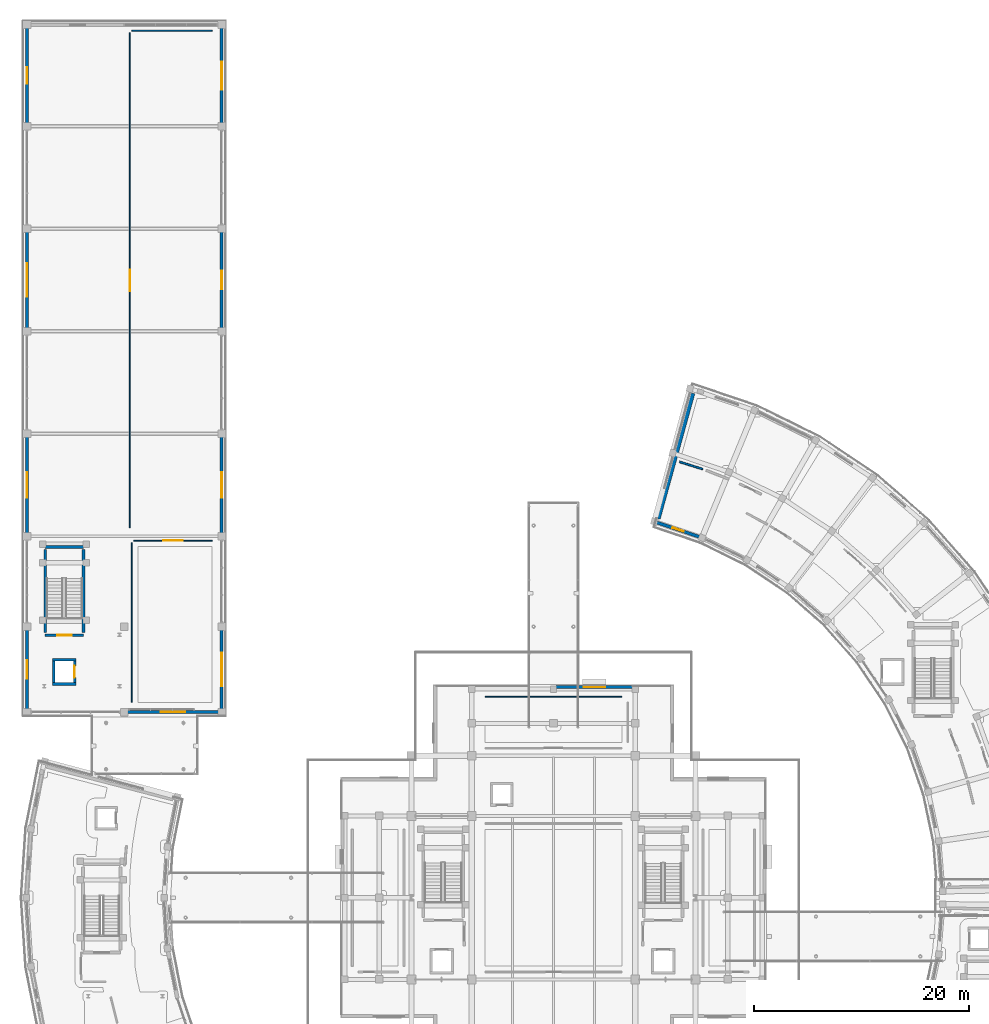
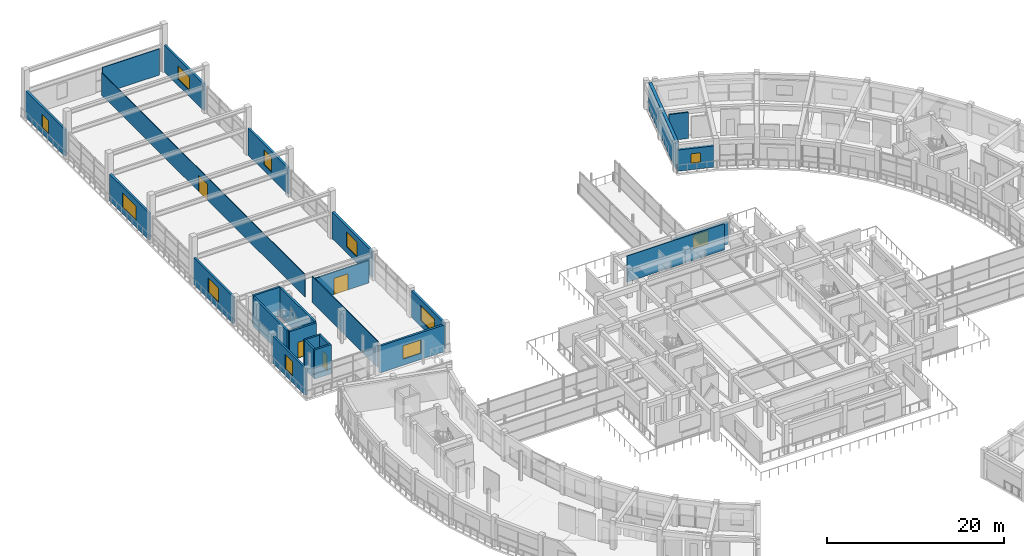
# One storey, part 52 of 72: 26 walls, 11 windows, 4 doors, 15 openings.
"""IFC4 building model written with IfcOpenShell, lengths in metres."""

from ifc_helpers import new_model, si_unit, direction, frame, frame_2d, origin, place, context, subcontext, project, spatial, rectangle, extrude, material, layer, layer_set, type_object, element, fill, save


model = new_model("IFC4")

# Units and contexts
model_context = context("Model", 3, precision=1e-05, world=origin(), true_north=direction((0.0, 1.0)))
body_context = subcontext(model_context, "Body", "Model", "MODEL_VIEW")
ifc_project = project(units=[si_unit("LENGTHUNIT", "METRE"), si_unit("AREAUNIT", "SQUARE_METRE"), si_unit("VOLUMEUNIT", "CUBIC_METRE"), si_unit("PLANEANGLEUNIT", "RADIAN"), si_unit("MASSUNIT", "GRAM", prefix="KILO")], contexts=[model_context])

# Site, building, storey
site_placement = place(None, origin())
site = spatial("IfcSite", under=ifc_project, at=site_placement, CompositionType="ELEMENT")
building_placement = place(site_placement, origin())
building = spatial("IfcBuilding", under=site, at=building_placement, Name="Saryqyr Civic Hall", CompositionType="ELEMENT")
storey_placement = place(building_placement, frame((0.0, 0.0, 17.25)))
storey = spatial("IfcBuildingStorey", under=building, at=storey_placement, Name="L04", CompositionType="ELEMENT", Elevation=17.25)

# Wall, opening, window
ifc_material_1 = material(Name="Precast concrete C40/50", Category="concrete")
ifc_layer_1 = layer(ifc_material_1, 0.27001953125, Name="Precast concrete C40/50")
ifc_layer_set_1 = layer_set([ifc_layer_1], Name="Precast concrete C40/50")
wall_type_1 = type_object("IfcWallType", Name="ENV-WAL-EXT-270", PredefinedType="STANDARD", material=ifc_layer_set_1)
wall_1_placement = place(storey_placement, frame((25.864990234375, 101.25, 0.0), z_axis=(0.0, 0.0, 1.0), x_axis=(-1.0, 0.0, 0.0)))
wall_1 = element("IfcWall", 1, at=wall_1_placement, inside=storey, type_object=wall_type_1, Name="Exterior wall V3-EW-L04-0-0", PredefinedType="STANDARD", context=body_context, shape_type="SweptSolid", body=[
    extrude(rectangle(XDim=8.47998046875, YDim=0.27001953125, at=frame_2d((4.239990234375, 0.0))), origin(), (0.0, 0.0, 1.0), 3.699951171875),
])
opening_1_placement = place(wall_1_placement, frame((3.090087890625, 0.0, 0.85009765625)))
opening_1 = element("IfcOpeningElement", 2, at=opening_1_placement, cuts=wall_1, Name="Opening W-29", PredefinedType="OPENING", context=body_context, shape_type="SweptSolid", body=[
    extrude(rectangle(XDim=2.300048828125, YDim=1.85009765625, at=frame_2d((1.14990234375, 0.925048828125))), frame((0.0, 0.14501953125, 0.0), z_axis=(0.0, -1.0, 0.0), x_axis=(1.0, 0.0, 0.0)), (0.0, 0.0, 1.0), 0.2900390625),
])
ifc_material_2 = material(Name="Anodised aluminium and triple low-E glass", Category="aluminium")
window_type_1 = type_object("IfcWindowType", Name="ENV-WIN-W29", PartitioningType="SINGLE_PANEL", PredefinedType="WINDOW", material=ifc_material_2)
window_1_placement = place(opening_1_placement, origin())
window_1 = element("IfcWindow", 3, at=window_1_placement, inside=storey, type_object=window_type_1, Name="Library window L04-0-0", OverallHeight=1.85009765625, OverallWidth=2.300048828125, PartitioningType="SINGLE_PANEL", PredefinedType="WINDOW", context=body_context, shape_type="SweptSolid", body=[
    extrude(rectangle(XDim=2.300048828125, YDim=1.85009765625, at=frame_2d((1.14990234375, 0.925048828125))), frame((0.0, 0.030029296875, 0.0), z_axis=(0.0, -1.0, 0.0), x_axis=(1.0, 0.0, 0.0)), (0.0, 0.0, 1.0), 0.06005859375),
])
fill(opening_1, window_1)

wall_2_placement = place(storey_placement, frame((26.14990234375, 164.864990234375, 0.0), z_axis=(0.0, 0.0, 1.0), x_axis=(0.0, -1.0, 0.0)))
wall_2 = element("IfcWall", 4, at=wall_2_placement, inside=storey, type_object=wall_type_1, Name="Exterior wall V3-EW-L04-1-0", PredefinedType="STANDARD", context=body_context, shape_type="SweptSolid", body=[
    extrude(rectangle(XDim=8.860107421875, YDim=0.27001953125, at=frame_2d((4.43017578125, 0.0))), origin(), (0.0, 0.0, 1.0), 3.699951171875),
])
opening_2_placement = place(wall_2_placement, frame((3.1298828125, 0.0, 0.85009765625)))
opening_2 = element("IfcOpeningElement", 5, at=opening_2_placement, cuts=wall_2, Name="Opening W-30", PredefinedType="OPENING", context=body_context, shape_type="SweptSolid", body=[
    extrude(rectangle(XDim=2.60009765625, YDim=1.85009765625, at=frame_2d((1.300048828125, 0.925048828125))), frame((0.0, 0.14501953125, 0.0), z_axis=(0.0, -1.0, 0.0), x_axis=(1.0, 0.0, 0.0)), (0.0, 0.0, 1.0), 0.2900390625),
])
window_type_2 = type_object("IfcWindowType", Name="ENV-WIN-W30", PartitioningType="SINGLE_PANEL", PredefinedType="WINDOW", material=ifc_material_2)
window_2_placement = place(opening_2_placement, origin())
window_2 = element("IfcWindow", 6, at=window_2_placement, inside=storey, type_object=window_type_2, Name="Library window L04-1-0", OverallHeight=1.85009765625, OverallWidth=2.60009765625, PartitioningType="SINGLE_PANEL", PredefinedType="WINDOW", context=body_context, shape_type="SweptSolid", body=[
    extrude(rectangle(XDim=2.60009765625, YDim=1.85009765625, at=frame_2d((1.300048828125, 0.925048828125))), frame((0.0, 0.030029296875, 0.0), z_axis=(0.0, -1.0, 0.0), x_axis=(1.0, 0.0, 0.0)), (0.0, 0.0, 1.0), 0.06005859375),
])
fill(opening_2, window_2)

wall_3_placement = place(storey_placement, frame((26.14990234375, 145.905029296875, 0.0), z_axis=(0.0, 0.0, 1.0), x_axis=(0.0, -1.0, 0.0)))
wall_3 = element("IfcWall", 7, at=wall_3_placement, inside=storey, type_object=wall_type_1, Name="Exterior wall V3-EW-L04-1-2", PredefinedType="STANDARD", context=body_context, shape_type="SweptSolid", body=[
    extrude(rectangle(XDim=8.9599609375, YDim=0.27001953125, at=frame_2d((4.47998046875, 0.0))), origin(), (0.0, 0.0, 1.0), 3.699951171875),
])
opening_3_placement = place(wall_3_placement, frame((3.6298828125, 0.0, 0.85009765625)))
opening_3 = element("IfcOpeningElement", 8, at=opening_3_placement, cuts=wall_3, Name="Opening W-32", PredefinedType="OPENING", context=body_context, shape_type="SweptSolid", body=[
    extrude(rectangle(XDim=1.699951171875, YDim=2.050048828125, at=frame_2d((0.85009765625, 1.02490234375))), frame((0.0, 0.14501953125, 0.0), z_axis=(0.0, -1.0, 0.0), x_axis=(1.0, 0.0, 0.0)), (0.0, 0.0, 1.0), 0.2900390625),
])
window_type_3 = type_object("IfcWindowType", Name="ENV-WIN-W32", PartitioningType="SINGLE_PANEL", PredefinedType="WINDOW", material=ifc_material_2)
window_3_placement = place(opening_3_placement, origin())
window_3 = element("IfcWindow", 9, at=window_3_placement, inside=storey, type_object=window_type_3, Name="Library window L04-1-2", OverallHeight=2.050048828125, OverallWidth=1.699951171875, PartitioningType="SINGLE_PANEL", PredefinedType="WINDOW", context=body_context, shape_type="SweptSolid", body=[
    extrude(rectangle(XDim=1.699951171875, YDim=2.050048828125, at=frame_2d((0.85009765625, 1.02490234375))), frame((0.0, 0.030029296875, 0.0), z_axis=(0.0, -1.0, 0.0), x_axis=(1.0, 0.0, 0.0)), (0.0, 0.0, 1.0), 0.06005859375),
])
fill(opening_3, window_3)

wall_4_placement = place(storey_placement, frame((26.14990234375, 126.844970703125, 0.0), z_axis=(0.0, 0.0, 1.0), x_axis=(0.0, -1.0, 0.0)))
wall_4 = element("IfcWall", 10, at=wall_4_placement, inside=storey, type_object=wall_type_1, Name="Exterior wall V3-EW-L04-1-4", PredefinedType="STANDARD", context=body_context, shape_type="SweptSolid", body=[
    extrude(rectangle(XDim=8.9599609375, YDim=0.27001953125, at=frame_2d((4.47998046875, 0.0))), origin(), (0.0, 0.0, 1.0), 3.699951171875),
])
opening_4_placement = place(wall_4_placement, frame((3.280029296875, 0.0, 0.85009765625)))
opening_4 = element("IfcOpeningElement", 11, at=opening_4_placement, cuts=wall_4, Name="Opening W-34", PredefinedType="OPENING", context=body_context, shape_type="SweptSolid", body=[
    extrude(rectangle(XDim=2.39990234375, YDim=2.050048828125, at=frame_2d((1.199951171875, 1.02490234375))), frame((0.0, 0.14501953125, 0.0), z_axis=(0.0, -1.0, 0.0), x_axis=(1.0, 0.0, 0.0)), (0.0, 0.0, 1.0), 0.2900390625),
])
window_type_4 = type_object("IfcWindowType", Name="ENV-WIN-W34", PartitioningType="SINGLE_PANEL", PredefinedType="WINDOW", material=ifc_material_2)
window_4_placement = place(opening_4_placement, origin())
window_4 = element("IfcWindow", 12, at=window_4_placement, inside=storey, type_object=window_type_4, Name="Library window L04-1-4", OverallHeight=2.050048828125, OverallWidth=2.39990234375, PartitioningType="SINGLE_PANEL", PredefinedType="WINDOW", context=body_context, shape_type="SweptSolid", body=[
    extrude(rectangle(XDim=2.39990234375, YDim=2.050048828125, at=frame_2d((1.199951171875, 1.02490234375))), frame((0.0, 0.030029296875, 0.0), z_axis=(0.0, -1.0, 0.0), x_axis=(1.0, 0.0, 0.0)), (0.0, 0.0, 1.0), 0.06005859375),
])
fill(opening_4, window_4)

wall_5_placement = place(storey_placement, frame((26.14990234375, 108.9150390625, 0.0), z_axis=(0.0, 0.0, 1.0), x_axis=(0.0, -1.0, 0.0)))
wall_5 = element("IfcWall", 13, at=wall_5_placement, inside=storey, type_object=wall_type_1, Name="Exterior wall V3-EW-L04-1-6", PredefinedType="STANDARD", context=body_context, shape_type="SweptSolid", body=[
    extrude(rectangle(XDim=7.380126953125, YDim=0.27001953125, at=frame_2d((3.68994140625, 0.0))), origin(), (0.0, 0.0, 1.0), 3.699951171875),
])
opening_5_placement = place(wall_5_placement, frame((2.139892578125, 0.0, 0.85009765625)))
opening_5 = element("IfcOpeningElement", 14, at=opening_5_placement, cuts=wall_5, Name="Opening W-36", PredefinedType="OPENING", context=body_context, shape_type="SweptSolid", body=[
    extrude(rectangle(XDim=3.10009765625, YDim=2.050048828125, at=frame_2d((1.550048828125, 1.02490234375))), frame((0.0, 0.14501953125, 0.0), z_axis=(0.0, -1.0, 0.0), x_axis=(1.0, 0.0, 0.0)), (0.0, 0.0, 1.0), 0.2900390625),
])
window_type_5 = type_object("IfcWindowType", Name="ENV-WIN-W36", PartitioningType="SINGLE_PANEL", PredefinedType="WINDOW", material=ifc_material_2)
window_5_placement = place(opening_5_placement, origin())
window_5 = element("IfcWindow", 15, at=window_5_placement, inside=storey, type_object=window_type_5, Name="Library window L04-1-6", OverallHeight=2.050048828125, OverallWidth=3.10009765625, PartitioningType="SINGLE_PANEL", PredefinedType="WINDOW", context=body_context, shape_type="SweptSolid", body=[
    extrude(rectangle(XDim=3.10009765625, YDim=2.050048828125, at=frame_2d((1.550048828125, 1.02490234375))), frame((0.0, 0.030029296875, 0.0), z_axis=(0.0, -1.0, 0.0), x_axis=(1.0, 0.0, 0.0)), (0.0, 0.0, 1.0), 0.06005859375),
])
fill(opening_5, window_5)

wall_6_placement = place(storey_placement, frame((8.050048828125, 101.534912109375, 0.0), z_axis=(0.0, 0.0, 1.0), x_axis=(0.0, 1.0, 0.0)))
wall_6 = element("IfcWall", 16, at=wall_6_placement, inside=storey, type_object=wall_type_1, Name="Exterior wall V3-EW-L04-3-0", PredefinedType="STANDARD", context=body_context, shape_type="SweptSolid", body=[
    extrude(rectangle(XDim=7.380126953125, YDim=0.27001953125, at=frame_2d((3.68994140625, 0.0))), origin(), (0.0, 0.0, 1.0), 3.699951171875),
])
opening_6_placement = place(wall_6_placement, frame((2.840087890625, 0.0, 0.85009765625)))
opening_6 = element("IfcOpeningElement", 17, at=opening_6_placement, cuts=wall_6, Name="Opening W-32", PredefinedType="OPENING", context=body_context, shape_type="SweptSolid", body=[
    extrude(rectangle(XDim=1.699951171875, YDim=2.050048828125, at=frame_2d((0.85009765625, 1.02490234375))), frame((0.0, 0.14501953125, 0.0), z_axis=(0.0, -1.0, 0.0), x_axis=(1.0, 0.0, 0.0)), (0.0, 0.0, 1.0), 0.2900390625),
])
window_6_placement = place(opening_6_placement, origin())
window_6 = element("IfcWindow", 18, at=window_6_placement, inside=storey, type_object=window_type_3, Name="Library window L04-3-0", OverallHeight=2.050048828125, OverallWidth=1.699951171875, PartitioningType="SINGLE_PANEL", PredefinedType="WINDOW", context=body_context, shape_type="SweptSolid", body=[
    extrude(rectangle(XDim=1.699951171875, YDim=2.050048828125, at=frame_2d((0.85009765625, 1.02490234375))), frame((0.0, 0.030029296875, 0.0), z_axis=(0.0, -1.0, 0.0), x_axis=(1.0, 0.0, 0.0)), (0.0, 0.0, 1.0), 0.06005859375),
])
fill(opening_6, window_6)

wall_7_placement = place(storey_placement, frame((8.050048828125, 117.885009765625, 0.0), z_axis=(0.0, 0.0, 1.0), x_axis=(0.0, 1.0, 0.0)))
wall_7 = element("IfcWall", 19, at=wall_7_placement, inside=storey, type_object=wall_type_1, Name="Exterior wall V3-EW-L04-3-2", PredefinedType="STANDARD", context=body_context, shape_type="SweptSolid", body=[
    extrude(rectangle(XDim=8.9599609375, YDim=0.27001953125, at=frame_2d((4.47998046875, 0.0))), origin(), (0.0, 0.0, 1.0), 3.699951171875),
])
opening_7_placement = place(wall_7_placement, frame((3.280029296875, 0.0, 0.85009765625)))
opening_7 = element("IfcOpeningElement", 20, at=opening_7_placement, cuts=wall_7, Name="Opening W-34", PredefinedType="OPENING", context=body_context, shape_type="SweptSolid", body=[
    extrude(rectangle(XDim=2.39990234375, YDim=2.050048828125, at=frame_2d((1.199951171875, 1.02490234375))), frame((0.0, 0.14501953125, 0.0), z_axis=(0.0, -1.0, 0.0), x_axis=(1.0, 0.0, 0.0)), (0.0, 0.0, 1.0), 0.2900390625),
])
window_7_placement = place(opening_7_placement, origin())
window_7 = element("IfcWindow", 21, at=window_7_placement, inside=storey, type_object=window_type_4, Name="Library window L04-3-2", OverallHeight=2.050048828125, OverallWidth=2.39990234375, PartitioningType="SINGLE_PANEL", PredefinedType="WINDOW", context=body_context, shape_type="SweptSolid", body=[
    extrude(rectangle(XDim=2.39990234375, YDim=2.050048828125, at=frame_2d((1.199951171875, 1.02490234375))), frame((0.0, 0.030029296875, 0.0), z_axis=(0.0, -1.0, 0.0), x_axis=(1.0, 0.0, 0.0)), (0.0, 0.0, 1.0), 0.06005859375),
])
fill(opening_7, window_7)

wall_8_placement = place(storey_placement, frame((8.050048828125, 136.945068359375, 0.0), z_axis=(0.0, 0.0, 1.0), x_axis=(0.0, 1.0, 0.0)))
wall_8 = element("IfcWall", 22, at=wall_8_placement, inside=storey, type_object=wall_type_1, Name="Exterior wall V3-EW-L04-3-4", PredefinedType="STANDARD", context=body_context, shape_type="SweptSolid", body=[
    extrude(rectangle(XDim=8.9599609375, YDim=0.27001953125, at=frame_2d((4.47998046875, 0.0))), origin(), (0.0, 0.0, 1.0), 3.699951171875),
])
opening_8_placement = place(wall_8_placement, frame((2.929931640625, 0.0, 0.85009765625)))
opening_8 = element("IfcOpeningElement", 23, at=opening_8_placement, cuts=wall_8, Name="Opening W-36", PredefinedType="OPENING", context=body_context, shape_type="SweptSolid", body=[
    extrude(rectangle(XDim=3.10009765625, YDim=2.050048828125, at=frame_2d((1.550048828125, 1.02490234375))), frame((0.0, 0.14501953125, 0.0), z_axis=(0.0, -1.0, 0.0), x_axis=(1.0, 0.0, 0.0)), (0.0, 0.0, 1.0), 0.2900390625),
])
window_8_placement = place(opening_8_placement, origin())
window_8 = element("IfcWindow", 24, at=window_8_placement, inside=storey, type_object=window_type_5, Name="Library window L04-3-4", OverallHeight=2.050048828125, OverallWidth=3.10009765625, PartitioningType="SINGLE_PANEL", PredefinedType="WINDOW", context=body_context, shape_type="SweptSolid", body=[
    extrude(rectangle(XDim=3.10009765625, YDim=2.050048828125, at=frame_2d((1.550048828125, 1.02490234375))), frame((0.0, 0.030029296875, 0.0), z_axis=(0.0, -1.0, 0.0), x_axis=(1.0, 0.0, 0.0)), (0.0, 0.0, 1.0), 0.06005859375),
])
fill(opening_8, window_8)

wall_9_placement = place(storey_placement, frame((8.050048828125, 156.0048828125, 0.0), z_axis=(0.0, 0.0, 1.0), x_axis=(0.0, 1.0, 0.0)))
wall_9 = element("IfcWall", 25, at=wall_9_placement, inside=storey, type_object=wall_type_1, Name="Exterior wall V3-EW-L04-3-6", PredefinedType="STANDARD", context=body_context, shape_type="SweptSolid", body=[
    extrude(rectangle(XDim=8.860107421875, YDim=0.27001953125, at=frame_2d((4.43017578125, 0.0))), origin(), (0.0, 0.0, 1.0), 3.699951171875),
])
opening_9_placement = place(wall_9_placement, frame((3.679931640625, 0.0, 0.85009765625)))
opening_9 = element("IfcOpeningElement", 26, at=opening_9_placement, cuts=wall_9, Name="Opening W-26", PredefinedType="OPENING", context=body_context, shape_type="SweptSolid", body=[
    extrude(rectangle(XDim=1.5, YDim=1.85009765625, at=frame_2d((0.75, 0.925048828125))), frame((0.0, 0.14501953125, 0.0), z_axis=(0.0, -1.0, 0.0), x_axis=(1.0, 0.0, 0.0)), (0.0, 0.0, 1.0), 0.2900390625),
])
window_type_6 = type_object("IfcWindowType", Name="ENV-WIN-W26", PartitioningType="SINGLE_PANEL", PredefinedType="WINDOW", material=ifc_material_2)
window_9_placement = place(opening_9_placement, origin())
window_9 = element("IfcWindow", 27, at=window_9_placement, inside=storey, type_object=window_type_6, Name="Library window L04-3-6", OverallHeight=1.85009765625, OverallWidth=1.5, PartitioningType="SINGLE_PANEL", PredefinedType="WINDOW", context=body_context, shape_type="SweptSolid", body=[
    extrude(rectangle(XDim=1.5, YDim=1.85009765625, at=frame_2d((0.75, 0.925048828125))), frame((0.0, 0.030029296875, 0.0), z_axis=(0.0, -1.0, 0.0), x_axis=(1.0, 0.0, 0.0)), (0.0, 0.0, 1.0), 0.06005859375),
])
fill(opening_9, window_9)

ifc_layer_2 = layer(ifc_material_1, 0.2900390625, Name="Precast concrete C40/50")
ifc_layer_set_2 = layer_set([ifc_layer_2], Name="Precast concrete C40/50")
wall_type_2 = type_object("IfcWallType", Name="ENV-WAL-EXT-290", PredefinedType="STANDARD", material=ifc_layer_set_2)
wall_10_placement = place(storey_placement, frame((70.562744140625, 117.547119140625, 0.0), z_axis=(0.0, 0.0, 1.0), x_axis=(-0.947212694363, 0.32060585091, 0.0)))
wall_10 = element("IfcWall", 28, at=wall_10_placement, inside=storey, type_object=wall_type_2, Name="Exterior wall V6-EWI-L04-09", PredefinedType="STANDARD", context=body_context, shape_type="SweptSolid", body=[
    extrude(rectangle(XDim=4.17919921875, YDim=0.2900390625, at=frame_2d((2.089599609375, 0.0))), origin(), (0.0, 0.0, 1.0), 2.93505859375),
])
opening_10_placement = place(wall_10_placement, frame((1.5400390625, 0.0, 0.85009765625)))
opening_10 = element("IfcOpeningElement", 29, at=opening_10_placement, cuts=wall_10, Name="Opening W-01", PredefinedType="OPENING", context=body_context, shape_type="SweptSolid", body=[
    extrude(rectangle(XDim=1.10009765625, YDim=1.35009765625, at=frame_2d((0.550048828125, 0.675048828125))), frame((0.0, 0.155029296875, 0.0), z_axis=(0.0, -1.0, 0.0), x_axis=(1.0, 0.0, 0.0)), (0.0, 0.0, 1.0), 0.31005859375),
])
window_type_7 = type_object("IfcWindowType", Name="ENV-WIN-W01", PartitioningType="SINGLE_PANEL", PredefinedType="WINDOW", material=ifc_material_2)
window_10_placement = place(opening_10_placement, origin())
window_10 = element("IfcWindow", 30, at=window_10_placement, inside=storey, type_object=window_type_7, Name="Courtyard window V6-L04-09", OverallHeight=1.35009765625, OverallWidth=1.10009765625, PartitioningType="SINGLE_PANEL", PredefinedType="WINDOW", context=body_context, shape_type="SweptSolid", body=[
    extrude(rectangle(XDim=1.10009765625, YDim=1.35009765625, at=frame_2d((0.550048828125, 0.675048828125))), frame((0.0, 0.030029296875, 0.0), z_axis=(0.0, -1.0, 0.0), x_axis=(1.0, 0.0, 0.0)), (0.0, 0.0, 1.0), 0.06005859375),
])
fill(opening_10, window_10)

wall_11_placement = place(storey_placement, frame((57.235107421875, 103.60009765625, 0.0), z_axis=(0.0, 0.0, 1.0), x_axis=(1.0, 0.0, 0.0)))
wall_11 = element("IfcWall", 31, at=wall_11_placement, inside=storey, type_object=wall_type_2, Name="Exterior wall V1-EW-L04-05", PredefinedType="STANDARD", context=body_context, shape_type="SweptSolid", body=[
    extrude(rectangle(XDim=7.1298828125, YDim=0.2900390625, at=frame_2d((3.56494140625, 0.0))), origin(), (0.0, 0.0, 1.0), 3.0849609375),
])
opening_11_placement = place(wall_11_placement, frame((2.56494140625, 0.0, 0.85009765625)))
opening_11 = element("IfcOpeningElement", 32, at=opening_11_placement, cuts=wall_11, Name="Opening W-28", PredefinedType="OPENING", context=body_context, shape_type="SweptSolid", body=[
    extrude(rectangle(XDim=2.0, YDim=1.85009765625, at=frame_2d((1.0, 0.925048828125))), frame((0.0, 0.155029296875, 0.0), z_axis=(0.0, -1.0, 0.0), x_axis=(1.0, 0.0, 0.0)), (0.0, 0.0, 1.0), 0.31005859375),
])
window_type_8 = type_object("IfcWindowType", Name="ENV-WIN-W28", PartitioningType="SINGLE_PANEL", PredefinedType="WINDOW", material=ifc_material_2)
window_11_placement = place(opening_11_placement, origin())
window_11 = element("IfcWindow", 33, at=window_11_placement, inside=storey, type_object=window_type_8, Name="Chamber cluster window L04-05", OverallHeight=1.85009765625, OverallWidth=2.0, PartitioningType="SINGLE_PANEL", PredefinedType="WINDOW", context=body_context, shape_type="SweptSolid", body=[
    extrude(rectangle(XDim=2.0, YDim=1.85009765625, at=frame_2d((1.0, 0.925048828125))), frame((0.0, 0.030029296875, 0.0), z_axis=(0.0, -1.0, 0.0), x_axis=(1.0, 0.0, 0.0)), (0.0, 0.0, 1.0), 0.06005859375),
])
fill(opening_11, window_11)

# Walls
ifc_material_3 = material(Name="Concrete C40/50", Category="concrete")
ifc_layer_3 = layer(ifc_material_3, 0.3798828125, Name="Concrete C40/50")
ifc_layer_set_3 = layer_set([ifc_layer_3], Name="Concrete C40/50")
wall_type_3 = type_object("IfcWallType", Name="ENV-WAL-PTY-380", PredefinedType="SHEAR", material=ifc_layer_set_3)
wall_12_placement = place(storey_placement, frame((66.73681640625, 119.229248046875, 0.0), z_axis=(0.0, 0.0, 1.0), x_axis=(0.266399016259, 0.963862834711, 0.0)))
element("IfcWall", 34, at=wall_12_placement, inside=storey, type_object=wall_type_3, Name="Exterior wall V6-JNTW-B-L04", PredefinedType="SHEAR", context=body_context, shape_type="SweptSolid", body=[
    extrude(rectangle(XDim=12.099853515625, YDim=0.3798828125, at=frame_2d((6.0498046875, 0.0))), origin(), (0.0, 0.0, 1.0), 3.75),
])
ifc_material_4 = material(Name="Lightweight demountable partition", Category="gypsum")
ifc_layer_4 = layer(ifc_material_4, 0.094970703125, Name="Lightweight demountable partition")
ifc_layer_set_4 = layer_set([ifc_layer_4], Name="Lightweight demountable partition")
wall_type_4 = type_object("IfcWallType", Name="INT-WAL-PRT-095", PredefinedType="PARTITIONING", material=ifc_layer_set_4)
wall_13_placement = place(storey_placement, frame((50.64990234375, 102.699951171875, 0.0), z_axis=(0.0, 0.0, 1.0), x_axis=(1.0, 0.0, 0.0)))
element("IfcWall", 35, at=wall_13_placement, inside=storey, type_object=wall_type_4, Name="Interior partition PRT-SP-V1-L04-R03-W2", PredefinedType="PARTITIONING", context=body_context, shape_type="SweptSolid", body=[
    extrude(rectangle(XDim=12.7001953125, YDim=0.094970703125, at=frame_2d((6.35009765625, 0.0))), origin(), (0.0, 0.0, 1.0), 3.6201171875),
])

# Wall, opening, door
wall_14_placement = place(storey_placement, frame((17.6201171875, 118.3798828125, 0.0), z_axis=(0.0, 0.0, 1.0), x_axis=(0.0, 1.0, 0.0)))
wall_14 = element("IfcWall", 36, at=wall_14_placement, inside=storey, type_object=wall_type_4, Name="Interior partition PRT-SP-V3-L04-R02-W1", PredefinedType="PARTITIONING", context=body_context, shape_type="SweptSolid", body=[
    extrude(rectangle(XDim=46.0400390625, YDim=0.094970703125, at=frame_2d((23.02001953125, 0.0))), origin(), (0.0, 0.0, 1.0), 3.10498046875),
])
opening_12_placement = place(wall_14_placement, frame((22.02001953125, 0.0, 0.0)))
opening_12 = element("IfcOpeningElement", 37, at=opening_12_placement, cuts=wall_14, Name="Opening D-16", PredefinedType="OPENING", context=body_context, shape_type="SweptSolid", body=[
    extrude(rectangle(XDim=2.0, YDim=2.219970703125, at=frame_2d((1.0, 1.10986328125))), frame((0.0, 0.057373046875, 0.0), z_axis=(0.0, -1.0, 0.0), x_axis=(1.0, 0.0, 0.0)), (0.0, 0.0, 1.0), 0.114990234375),
])
ifc_material_5 = material(Name="Acoustic solid-core oak veneer", Category="wood")
door_type_1 = type_object("IfcDoorType", Name="INT-DR-D-16", OperationType="NOTDEFINED", PredefinedType="DOOR", material=ifc_material_5)
door_1_placement = place(opening_12_placement, origin())
door_1 = element("IfcDoor", 38, at=door_1_placement, inside=storey, type_object=door_type_1, Name="Interior door Members' Library Main Sawtooth Reading Hall", OperationType="DOUBLE_DOOR_SINGLE_SWING", OverallHeight=2.219970703125, OverallWidth=2.0, PredefinedType="DOOR", context=body_context, shape_type="SweptSolid", body=[
    extrude(rectangle(XDim=2.0, YDim=2.219970703125, at=frame_2d((1.0, 1.10986328125))), frame((0.0, 0.02490234375, 0.0), z_axis=(0.0, -1.0, 0.0), x_axis=(1.0, 0.0, 0.0)), (0.0, 0.0, 1.0), 0.050048828125),
])
fill(opening_12, door_1)

# Walls
wall_15_placement = place(storey_placement, frame((17.800048828125, 164.60009765625, 0.0), z_axis=(0.0, 0.0, 1.0), x_axis=(1.0, 0.0, 0.0)))
element("IfcWall", 39, at=wall_15_placement, inside=storey, type_object=wall_type_4, Name="Interior partition PRT-SP-V3-L04-R02-W2", PredefinedType="PARTITIONING", context=body_context, shape_type="SweptSolid", body=[
    extrude(rectangle(XDim=7.449951171875, YDim=0.094970703125, at=frame_2d((3.72509765625, 0.0))), origin(), (0.0, 0.0, 1.0), 3.6298828125),
])
ifc_material_6 = material(Name="Moisture-resistant gypsum partition", Category="gypsum")
ifc_layer_5 = layer(ifc_material_6, 0.110107421875, Name="Moisture-resistant gypsum partition")
ifc_layer_set_5 = layer_set([ifc_layer_5], Name="Moisture-resistant gypsum partition")
wall_type_5 = type_object("IfcWallType", Name="INT-WAL-PRT-110", PredefinedType="PARTITIONING", material=ifc_layer_set_5)
wall_16_placement = place(storey_placement, frame((17.800048828125, 102.14990234375, 0.0), z_axis=(0.0, 0.0, 1.0), x_axis=(0.0, 1.0, 0.0)))
element("IfcWall", 40, at=wall_16_placement, inside=storey, type_object=wall_type_5, Name="Interior partition PRT-SP-V3-L04-R01-W1", PredefinedType="PARTITIONING", context=body_context, shape_type="SweptSolid", body=[
    extrude(rectangle(XDim=14.8701171875, YDim=0.110107421875, at=frame_2d((7.43505859375, 0.0))), origin(), (0.0, 0.0, 1.0), 3.6298828125),
])

# Wall, opening, door
wall_17_placement = place(storey_placement, frame((17.97998046875, 117.199951171875, 0.0), z_axis=(0.0, 0.0, 1.0), x_axis=(1.0, 0.0, 0.0)))
wall_17 = element("IfcWall", 41, at=wall_17_placement, inside=storey, type_object=wall_type_5, Name="Interior partition PRT-SP-V3-L04-R01-W2", PredefinedType="PARTITIONING", context=body_context, shape_type="SweptSolid", body=[
    extrude(rectangle(XDim=7.27001953125, YDim=0.110107421875, at=frame_2d((3.635009765625, 0.0))), origin(), (0.0, 0.0, 1.0), 3.10498046875),
])
opening_13_placement = place(wall_17_placement, frame((2.735107421875, 0.0, 0.0)))
opening_13 = element("IfcOpeningElement", 42, at=opening_13_placement, cuts=wall_17, Name="Opening D-15", PredefinedType="OPENING", context=body_context, shape_type="SweptSolid", body=[
    extrude(rectangle(XDim=1.800048828125, YDim=2.219970703125, at=frame_2d((0.89990234375, 1.10986328125))), frame((0.0, 0.06494140625, 0.0), z_axis=(0.0, -1.0, 0.0), x_axis=(1.0, 0.0, 0.0)), (0.0, 0.0, 1.0), 0.130126953125),
])
door_type_2 = type_object("IfcDoorType", Name="INT-DR-D-15", OperationType="NOTDEFINED", PredefinedType="DOOR", material=ifc_material_5)
door_2_placement = place(opening_13_placement, origin())
door_2 = element("IfcDoor", 43, at=door_2_placement, inside=storey, type_object=door_type_2, Name="Interior door Chief Librarian's Suite & Accessible MGN WC L04", OperationType="DOUBLE_DOOR_SINGLE_SWING", OverallHeight=2.219970703125, OverallWidth=1.800048828125, PredefinedType="DOOR", context=body_context, shape_type="SweptSolid", body=[
    extrude(rectangle(XDim=1.800048828125, YDim=2.219970703125, at=frame_2d((0.89990234375, 1.10986328125))), frame((0.0, 0.02490234375, 0.0), z_axis=(0.0, -1.0, 0.0), x_axis=(1.0, 0.0, 0.0)), (0.0, 0.0, 1.0), 0.050048828125),
])
fill(opening_13, door_2)

# Walls
ifc_material_7 = material(Name="Acoustic double-stud gypsum board", Category="gypsum")
ifc_layer_6 = layer(ifc_material_7, 0.169921875, Name="Acoustic double-stud gypsum board")
ifc_layer_set_6 = layer_set([ifc_layer_6], Name="Acoustic double-stud gypsum board")
wall_type_6 = type_object("IfcWallType", Name="INT-WAL-PRT-170", PredefinedType="PARTITIONING", material=ifc_layer_set_6)
wall_18_placement = place(storey_placement, frame((70.865478515625, 123.850830078125, 0.0), z_axis=(0.0, 0.0, 1.0), x_axis=(-0.954164823444, 0.299281622727, 0.0)))
element("IfcWall", 44, at=wall_18_placement, inside=storey, type_object=wall_type_6, Name="Interior partition PRT-SP-V6-L04-R03-W3", PredefinedType="PARTITIONING", context=body_context, shape_type="SweptSolid", body=[
    extrude(rectangle(XDim=2.23681640625, YDim=0.169921875, at=frame_2d((1.118408203125, 0.0))), origin(), (0.0, 0.0, 1.0), 3.6201171875),
])
ifc_layer_7 = layer(ifc_material_3, 0.239990234375, Name="Concrete C40/50")
ifc_layer_set_7 = layer_set([ifc_layer_7], Name="Concrete C40/50")
wall_type_7 = type_object("IfcWallType", Name="INT-WAL-SHR-240", PredefinedType="SHEAR", material=ifc_layer_set_7)
wall_19_placement = place(storey_placement, frame((12.60009765625, 103.8701171875, 0.0), z_axis=(0.0, 0.0, 1.0), x_axis=(-1.0, 0.0, 0.0)))
element("IfcWall", 45, at=wall_19_placement, inside=storey, type_object=wall_type_7, Name="Lift shaft shear wall LF-05-SHW-S-L04", PredefinedType="SHEAR", context=body_context, shape_type="SweptSolid", body=[
    extrude(rectangle(XDim=2.2001953125, YDim=0.239990234375, at=frame_2d((1.10009765625, 0.0))), origin(), (0.0, 0.0, 1.0), 4.050048828125),
])

# Wall, opening, door
wall_20_placement = place(storey_placement, frame((12.47998046875, 106.010009765625, 0.0), z_axis=(0.0, 0.0, 1.0), x_axis=(0.0, -1.0, 0.0)))
wall_20 = element("IfcWall", 46, at=wall_20_placement, inside=storey, type_object=wall_type_7, Name="Lift shaft shear wall LF-05-SHW-E-L04", PredefinedType="SHEAR", context=body_context, shape_type="SweptSolid", body=[
    extrude(rectangle(XDim=2.02001953125, YDim=0.239990234375, at=frame_2d((1.010009765625, 0.0))), origin(), (0.0, 0.0, 1.0), 4.050048828125),
])
opening_14_placement = place(wall_20_placement, frame((0.4599609375, 0.0, 0.0)))
opening_14 = element("IfcOpeningElement", 47, at=opening_14_placement, cuts=wall_20, Name="Opening LD-01", PredefinedType="OPENING", context=body_context, shape_type="SweptSolid", body=[
    extrude(rectangle(XDim=1.10009765625, YDim=2.14990234375, at=frame_2d((0.550048828125, 1.074951171875))), frame((0.0, 0.1298828125, 0.0), z_axis=(0.0, -1.0, 0.0), x_axis=(1.0, 0.0, 0.0)), (0.0, 0.0, 1.0), 0.260009765625),
])
ifc_material_8 = material(Name="Brushed stainless steel", Category="steel")
door_type_3 = type_object("IfcDoorType", Name="INT-DR-LD-1100x2150", OperationType="NOTDEFINED", PredefinedType="DOOR", material=ifc_material_8)
door_3_placement = place(opening_14_placement, origin())
door_3 = element("IfcDoor", 48, at=door_3_placement, inside=storey, type_object=door_type_3, Name="Lift sliding landing door LF-05 L04", OperationType="SLIDING_TO_LEFT", OverallHeight=2.14990234375, OverallWidth=1.10009765625, PredefinedType="DOOR", context=body_context, shape_type="SweptSolid", body=[
    extrude(rectangle(XDim=1.10009765625, YDim=2.14990234375, at=frame_2d((0.550048828125, 1.074951171875))), frame((0.0, 0.02490234375, 0.0), z_axis=(0.0, -1.0, 0.0), x_axis=(1.0, 0.0, 0.0)), (0.0, 0.0, 1.0), 0.050048828125),
])
fill(opening_14, door_3)

# Walls
wall_21_placement = place(storey_placement, frame((10.39990234375, 106.1298828125, 0.0), z_axis=(0.0, 0.0, 1.0), x_axis=(1.0, 0.0, 0.0)))
element("IfcWall", 49, at=wall_21_placement, inside=storey, type_object=wall_type_7, Name="Lift shaft shear wall LF-05-SHW-N-L04", PredefinedType="SHEAR", context=body_context, shape_type="SweptSolid", body=[
    extrude(rectangle(XDim=2.2001953125, YDim=0.239990234375, at=frame_2d((1.10009765625, 0.0))), origin(), (0.0, 0.0, 1.0), 4.050048828125),
])
wall_22_placement = place(storey_placement, frame((10.52001953125, 103.989990234375, 0.0), z_axis=(0.0, 0.0, 1.0), x_axis=(0.0, 1.0, 0.0)))
element("IfcWall", 50, at=wall_22_placement, inside=storey, type_object=wall_type_7, Name="Lift shaft shear wall LF-05-SHW-W-L04", PredefinedType="SHEAR", context=body_context, shape_type="SweptSolid", body=[
    extrude(rectangle(XDim=2.02001953125, YDim=0.239990234375, at=frame_2d((1.010009765625, 0.0))), origin(), (0.0, 0.0, 1.0), 4.050048828125),
])

# Wall, opening, door
ifc_layer_8 = layer(ifc_material_3, 0.25, Name="Concrete C40/50")
ifc_layer_set_8 = layer_set([ifc_layer_8], Name="Concrete C40/50")
wall_type_8 = type_object("IfcWallType", Name="INT-WAL-SHR-250", PredefinedType="SHEAR", material=ifc_layer_set_8)
wall_23_placement = place(storey_placement, frame((13.300048828125, 108.39990234375, 0.0), z_axis=(0.0, 0.0, 1.0), x_axis=(-1.0, 0.0, 0.0)))
wall_23 = element("IfcWall", 51, at=wall_23_placement, inside=storey, type_object=wall_type_8, Name="Protected stair shaft wall ST-3-SW1-L04", PredefinedType="SHEAR", context=body_context, shape_type="SweptSolid", body=[
    extrude(rectangle(XDim=3.56005859375, YDim=0.25, at=frame_2d((1.780029296875, 0.0))), origin(), (0.0, 0.0, 1.0), 4.050048828125),
])
opening_15_placement = place(wall_23_placement, frame((1.10498046875, 0.0, 0.0)))
opening_15 = element("IfcOpeningElement", 52, at=opening_15_placement, cuts=wall_23, Name="Opening SD-01", PredefinedType="OPENING", context=body_context, shape_type="SweptSolid", body=[
    extrude(rectangle(XDim=1.35009765625, YDim=2.199951171875, at=frame_2d((0.675048828125, 1.10009765625))), frame((0.0, 0.135009765625, 0.0), z_axis=(0.0, -1.0, 0.0), x_axis=(1.0, 0.0, 0.0)), (0.0, 0.0, 1.0), 0.27001953125),
])
ifc_material_9 = material(Name="Painted galvanized steel", Category="steel")
door_type_4 = type_object("IfcDoorType", Name="INT-DR-STAIR-1350x2200", OperationType="NOTDEFINED", PredefinedType="DOOR", material=ifc_material_9)
door_4_placement = place(opening_15_placement, origin())
door_4 = element("IfcDoor", 53, at=door_4_placement, inside=storey, type_object=door_type_4, Name="Exit stair landing fire door ST-3-L04", OperationType="SINGLE_SWING_RIGHT", OverallHeight=2.199951171875, OverallWidth=1.35009765625, PredefinedType="DOOR", context=body_context, shape_type="SweptSolid", body=[
    extrude(rectangle(XDim=1.35009765625, YDim=2.199951171875, at=frame_2d((0.675048828125, 1.10009765625))), frame((0.0, 0.02490234375, 0.0), z_axis=(0.0, -1.0, 0.0), x_axis=(1.0, 0.0, 0.0)), (0.0, 0.0, 1.0), 0.050048828125),
])
fill(opening_15, door_4)

# Walls
wall_24_placement = place(storey_placement, frame((9.739990234375, 108.64990234375, 0.0), z_axis=(0.0, 0.0, 1.0), x_axis=(0.0, 1.0, 0.0)))
element("IfcWall", 54, at=wall_24_placement, inside=storey, type_object=wall_type_8, Name="Protected stair shaft wall ST-3-SW2-L04", PredefinedType="SHEAR", context=body_context, shape_type="SweptSolid", body=[
    extrude(rectangle(XDim=7.7001953125, YDim=0.25, at=frame_2d((3.85009765625, 0.0))), origin(), (0.0, 0.0, 1.0), 4.050048828125),
])
wall_25_placement = place(storey_placement, frame((9.739990234375, 116.60009765625, 0.0), z_axis=(0.0, 0.0, 1.0), x_axis=(1.0, 0.0, 0.0)))
element("IfcWall", 55, at=wall_25_placement, inside=storey, type_object=wall_type_8, Name="Protected stair shaft wall ST-3-SW3-L04", PredefinedType="SHEAR", context=body_context, shape_type="SweptSolid", body=[
    extrude(rectangle(XDim=3.56005859375, YDim=0.25, at=frame_2d((1.780029296875, 0.0))), origin(), (0.0, 0.0, 1.0), 4.050048828125),
])
wall_26_placement = place(storey_placement, frame((13.300048828125, 116.35009765625, 0.0), z_axis=(0.0, 0.0, 1.0), x_axis=(0.0, -1.0, 0.0)))
element("IfcWall", 56, at=wall_26_placement, inside=storey, type_object=wall_type_8, Name="Protected stair shaft wall ST-3-SW4-L04", PredefinedType="SHEAR", context=body_context, shape_type="SweptSolid", body=[
    extrude(rectangle(XDim=7.7001953125, YDim=0.25, at=frame_2d((3.85009765625, 0.0))), origin(), (0.0, 0.0, 1.0), 4.050048828125),
])

save(model, "model.ifc")
